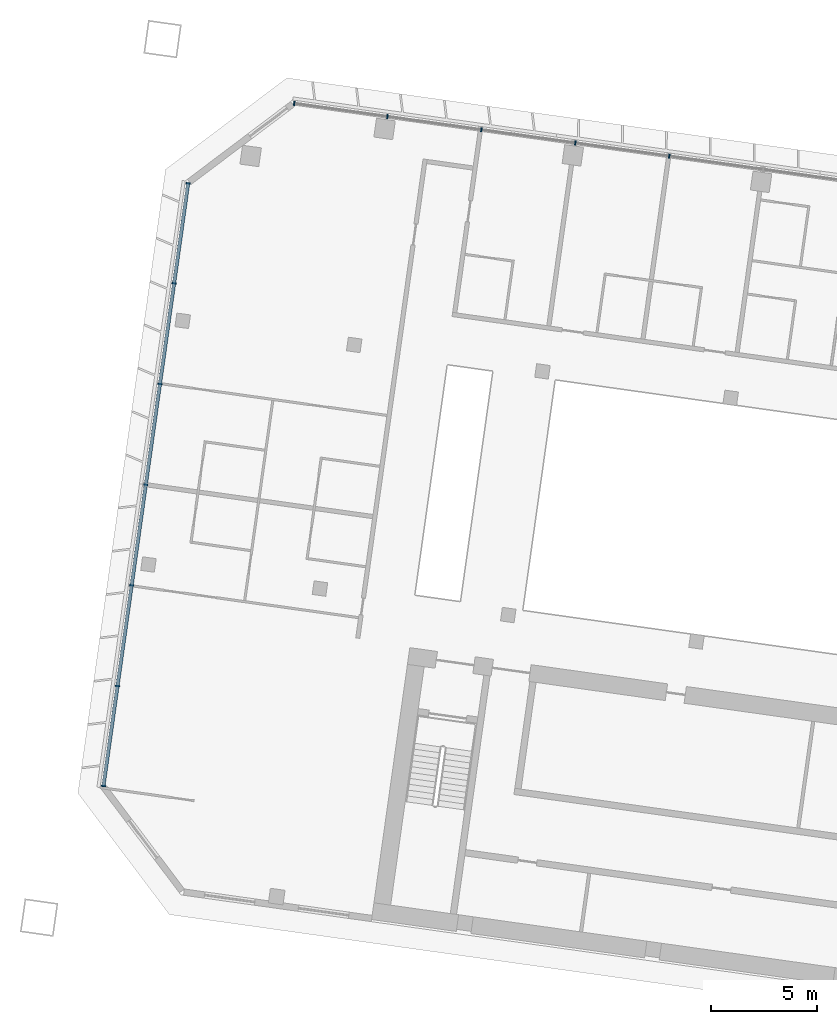
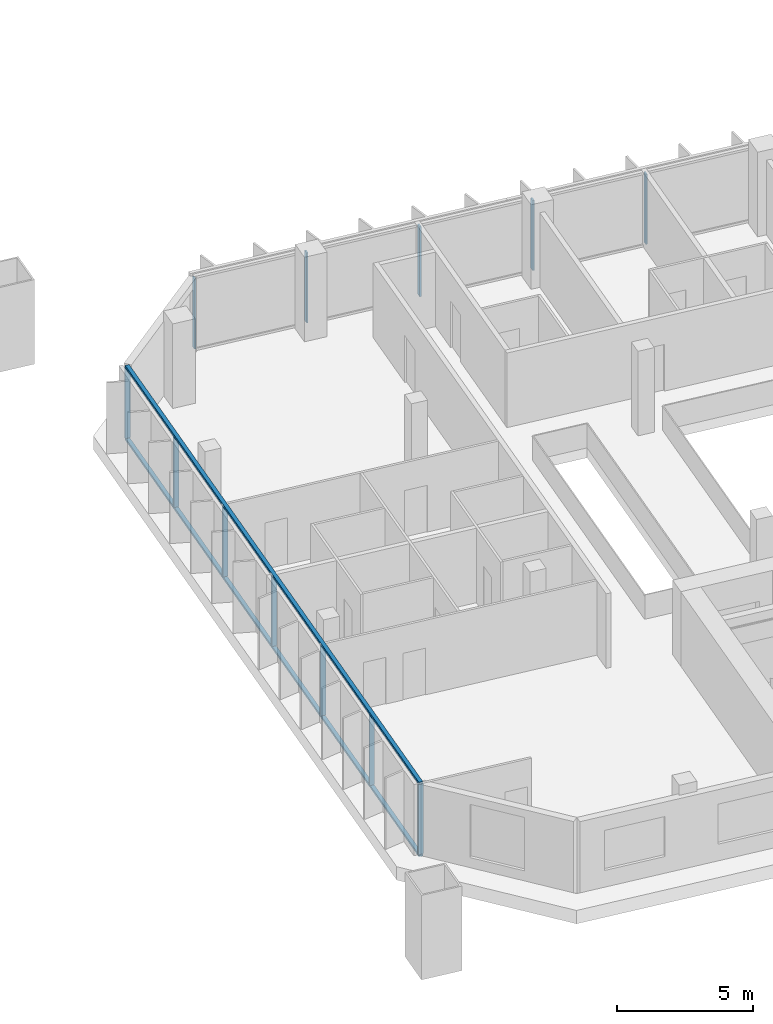
# One storey, part 2 of 24: 14 members, 2 elements without a shape of their own.
"""IFC4 building model written with IfcOpenShell, lengths in metres."""

import ifcopenshell
import ifcopenshell.guid

model = None  # the IFC model being written
_history = None  # IfcOwnerHistory: only IFC2X3 demands one
_inside = {}  # id of a spatial element -> (the spatial element, [elements in it])
_under = {}  # id of a project, library or spatial element -> (it, [spatial elements below it])
_declared = {}  # id of a project -> (the project, [libraries it declares])
_typed = {}  # id of a type object -> (the type object, [elements of that type])
_made_of = {}  # id of a material, layer set ... -> (it, [elements and type objects made of it])


def new_model(schema):
    """Start an empty IFC model of exactly this schema.

    Asked for "IFC4X3", IfcOpenShell would pick the latest addendum, in which some entities
    have other attributes; the version numbers below select the first issue.
    IFC2X3 requires an IfcOwnerHistory on every rooted entity: one is made here for all.
    """
    global model, _history
    if schema == "IFC4X3":
        model = ifcopenshell.file(schema_version=(4, 3, 0, 0))
    else:
        model = ifcopenshell.file(schema=schema)
    _inside.clear()
    _under.clear()
    _declared.clear()
    _typed.clear()
    _made_of.clear()
    _history = None
    if model.schema == "IFC2X3":
        org = make("IfcOrganization", Name="unknown")
        user = make(
            "IfcPersonAndOrganization",
            ThePerson=make("IfcPerson", FamilyName="unknown"),
            TheOrganization=org,
        )
        app = make(
            "IfcApplication",
            ApplicationDeveloper=org,
            Version="unknown",
            ApplicationFullName="unknown",
            ApplicationIdentifier="unknown",
        )
        _history = make(
            "IfcOwnerHistory",
            OwningUser=user,
            OwningApplication=app,
            ChangeAction="ADDED",
            CreationDate=0,
        )
    return model


def make(cls, **values):
    """One entity of the class cls with the attributes given. An attribute that is None is left unset."""
    return model.create_entity(
        cls, **{name: value for name, value in values.items() if value is not None}
    )


def rooted(cls, **values):
    """An entity with a GlobalId (a new one), such as an element, a storey or a relation."""
    return make(cls, GlobalId=ifcopenshell.guid.new(), OwnerHistory=_history, **values)


def si_unit(unit_type, name, prefix=None):
    """IfcSIUnit, for example si_unit("LENGTHUNIT", "METRE", prefix="MILLI")."""
    return make("IfcSIUnit", UnitType=unit_type, Prefix=prefix, Name=name)


def assignment(units):
    """IfcUnitAssignment: the units of a project."""
    return None if units is None else make("IfcUnitAssignment", Units=units)


def point(xyz):
    """IfcCartesianPoint."""
    return None if xyz is None else make("IfcCartesianPoint", Coordinates=xyz)


def direction(xyz):
    """IfcDirection."""
    return None if xyz is None else make("IfcDirection", DirectionRatios=xyz)


def frame(location, z_axis=None, x_axis=None):
    """IfcAxis2Placement3D, a coordinate frame: its origin and axes. An axis left out is left unset."""
    return make(
        "IfcAxis2Placement3D",
        Location=point(location),
        Axis=direction(z_axis),
        RefDirection=direction(x_axis),
    )


def frame_2d(location, x_axis=None):
    """IfcAxis2Placement2D, a coordinate frame in the plane: its origin and x axis."""
    return make(
        "IfcAxis2Placement2D", Location=point(location), RefDirection=direction(x_axis)
    )


def origin():
    """The frame at (0, 0, 0) with its axes left unset."""
    return frame((0.0, 0.0, 0.0))


def origin_2d():
    """The frame at (0, 0) in the plane with its x axis left unset."""
    return frame_2d((0.0, 0.0))


def place(relative_to, where):
    """IfcLocalPlacement: puts the frame where relative to a parent placement (None: the world)."""
    return make(
        "IfcLocalPlacement", PlacementRelTo=relative_to, RelativePlacement=where
    )


def context(
    kind, dimensions, precision=None, world=None, true_north=None, identifier=None
):
    """IfcGeometricRepresentationContext, for example the 3D "Model" context."""
    return make(
        "IfcGeometricRepresentationContext",
        ContextIdentifier=identifier,
        ContextType=kind,
        CoordinateSpaceDimension=dimensions,
        Precision=precision,
        WorldCoordinateSystem=world,
        TrueNorth=true_north,
    )


def subcontext(parent, identifier, kind, view, scale=None):
    """IfcGeometricRepresentationSubContext, for example "Body" below "Model"."""
    return make(
        "IfcGeometricRepresentationSubContext",
        ContextIdentifier=identifier,
        ContextType=kind,
        ParentContext=parent,
        TargetScale=scale,
        TargetView=view,
    )


def project(units=None, contexts=None):
    """IfcProject with its units and contexts."""
    return rooted(
        "IfcProject",
        Name="project",
        RepresentationContexts=contexts,
        UnitsInContext=assignment(units),
    )


def spatial(cls, under=None, at=None, **own):
    """A site, building, storey or space (cls), placed at a placement, below another one or the project."""
    s = rooted(cls, ObjectPlacement=at, **own)
    if under is not None:
        _under.setdefault(under.id(), (under, []))[1].append(s)
    return s


def profile(cls, at=None, kind="AREA", **sizes):
    """A parametric profile (cls). Its sizes go by their IFC names, for example OverallWidth=200.0."""
    return make(cls, ProfileType=kind, Position=at, **sizes)


def rectangle(**sizes):
    """IfcRectangleProfileDef."""
    return profile("IfcRectangleProfileDef", **sizes)


def extrude(swept, where, along, depth):
    """IfcExtrudedAreaSolid: the profile swept, set in the frame where, extruded along a direction by depth."""
    return make(
        "IfcExtrudedAreaSolid",
        SweptArea=swept,
        Position=where,
        ExtrudedDirection=direction(along),
        Depth=depth,
    )


def shape(context_of_items, identifier, shape_type, items):
    """IfcShapeRepresentation: the items that make up one representation, for example the "Body"."""
    return make(
        "IfcShapeRepresentation",
        ContextOfItems=context_of_items,
        RepresentationIdentifier=identifier,
        RepresentationType=shape_type,
        Items=items,
    )


def material(Name=None, Category=None):
    """IfcMaterial."""
    return make("IfcMaterial", Name=Name, Category=Category)


def material_profile(
    of_material, cross_section, Name=None, Category=None, Priority=None
):
    """IfcMaterialProfile: a cross section and its material."""
    return make(
        "IfcMaterialProfile",
        Name=Name,
        Material=of_material,
        Profile=cross_section,
        Priority=Priority,
        Category=Category,
    )


def profile_set(profiles, Name=None, composite=None):
    """IfcMaterialProfileSet."""
    return make(
        "IfcMaterialProfileSet",
        Name=Name,
        MaterialProfiles=profiles,
        CompositeProfile=composite,
    )


def made_of(thing, what):
    """Note that an element or type object is made of a material, layer set ...; save() writes the relation."""
    if what is not None:
        _made_of.setdefault(what.id(), (what, []))[1].append(thing)
    return thing


def type_object(cls, material=None, **own):
    """A type object (cls), such as IfcWallType, which elements share."""
    return made_of(rooted(cls, **own), material)


def element(
    cls,
    number,
    at=None,
    inside=None,
    cuts=None,
    type_object=None,
    material=None,
    context=None,
    identifier="Body",
    shape_type=None,
    held_by="IfcProductDefinitionShape",
    body=None,
    shapes=None,
    **own,
):
    """One element of the class cls, such as IfcWall. Its Tag is "e" and its number.

    at: its placement. inside: the storey or other place that contains it. cuts: it is an
    opening in that element (IfcRelVoidsElement). A single representation is given by context,
    identifier, shape_type and body (its items); several are given by shapes. held_by: the class
    of the entity that holds the representations. save() writes the other relations.
    """
    e = rooted(cls, Tag="e%d" % number, ObjectPlacement=at, **own)
    if body is not None:
        shapes = [shape(context, identifier, shape_type, body)]
    if shapes is not None:
        e.Representation = make(held_by, Representations=shapes)
    if inside is not None:
        _inside.setdefault(inside.id(), (inside, []))[1].append(e)
    if cuts is not None:
        rooted(
            "IfcRelVoidsElement", RelatingBuildingElement=cuts, RelatedOpeningElement=e
        )
    if type_object is not None:
        _typed.setdefault(type_object.id(), (type_object, []))[1].append(e)
    return made_of(e, material)


def aggregate(whole, parts):
    """IfcRelAggregates: a whole, such as a stair, and the parts it consists of."""
    return rooted("IfcRelAggregates", RelatingObject=whole, RelatedObjects=parts)


def save(model, path):
    """Write the relations noted so far, then the file.

    IfcRelAggregates (storeys below a building ...), IfcRelContainedInSpatialStructure (elements
    in a storey), IfcRelDefinesByType, IfcRelAssociatesMaterial and IfcRelDeclares: one each for
    every whole, place, type object, material and project.
    """
    for whole, parts in _under.values():
        aggregate(whole, parts)
    for where, things in _inside.values():
        rooted(
            "IfcRelContainedInSpatialStructure",
            RelatedElements=things,
            RelatingStructure=where,
        )
    for kind, things in _typed.values():
        rooted("IfcRelDefinesByType", RelatedObjects=things, RelatingType=kind)
    for what, things in _made_of.values():
        rooted("IfcRelAssociatesMaterial", RelatedObjects=things, RelatingMaterial=what)
    for by, libraries in _declared.values():
        rooted("IfcRelDeclares", RelatingContext=by, RelatedDefinitions=libraries)
    model.write(path)


model = new_model("IFC4")

# Units and contexts
model_context = context("Model", 3, precision=1e-05, world=origin(), true_north=direction((0.0, 1.0)))
body_context = subcontext(model_context, "Body", "Model", "MODEL_VIEW")
ifc_project = project(units=[si_unit("LENGTHUNIT", "METRE"), si_unit("AREAUNIT", "SQUARE_METRE"), si_unit("VOLUMEUNIT", "CUBIC_METRE"), si_unit("PLANEANGLEUNIT", "RADIAN"), si_unit("MASSUNIT", "GRAM", prefix="KILO")], contexts=[model_context])

# Site, building, storey
site_placement = place(None, origin())
site = spatial("IfcSite", under=ifc_project, at=site_placement, CompositionType="ELEMENT")
building_placement = place(site_placement, origin())
building = spatial("IfcBuilding", under=site, at=building_placement, Name="Mirante Cascada Hotel Towers", CompositionType="ELEMENT")
storey_placement = place(building_placement, frame((0.0, 0.0, 110.1)))
storey = spatial("IfcBuildingStorey", under=building, at=storey_placement, Name="L24", CompositionType="ELEMENT", Elevation=110.1)

# Curtain wall, members
ifc_material_1 = material(Name="Aluminium mullion and transom frame with clear laminated glass", Category="aluminium")
curtain_wall_type_1 = type_object("IfcCurtainWallType", Name="Ribbon curtain wall ECW1", PredefinedType="NOTDEFINED", material=ifc_material_1)
curtain_wall_1_placement = place(storey_placement, origin())
curtain_wall_1 = element("IfcCurtainWall", 1, at=curtain_wall_1_placement, inside=storey, type_object=curtain_wall_type_1, Name="Front ribbon wall T1 L24", PredefinedType="NOTDEFINED")
ifc_material_2 = material(Name="Anodised aluminium extrusion", Category="aluminium")
ifc_material_profile_1 = material_profile(ifc_material_2, rectangle(XDim=0.2, YDim=0.065, at=origin_2d()), Name="ECW1 MULLION 65x200")
ifc_profile_set_1 = profile_set([ifc_material_profile_1], Name="Anodised aluminium extrusion")
member_type_1 = type_object("IfcMemberType", Name="ECW1 mullion 65x200", PredefinedType="MULLION", material=ifc_profile_set_1)
member_1_placement = place(storey_placement, frame((-94.126, 26.0476, 0.1), z_axis=(0.0, 0.0, 1.0), x_axis=(0.1391731, 0.9902681, 0.0)))
member_1 = element("IfcMember", 2, at=member_1_placement, type_object=member_type_1, Name="ECW1 mullion 1", PredefinedType="MULLION", context=body_context, shape_type="SweptSolid", body=[
    extrude(rectangle(XDim=0.2, YDim=0.065, at=origin_2d()), origin(), (0.0, 0.0, 1.0), 3.15),
])
member_2_placement = place(storey_placement, frame((-89.7107, 25.427, 0.1), z_axis=(0.0, 0.0, 1.0), x_axis=(0.1391731, 0.9902681, 0.0)))
member_2 = element("IfcMember", 3, at=member_2_placement, type_object=member_type_1, Name="ECW1 mullion 2", PredefinedType="MULLION", context=body_context, shape_type="SweptSolid", body=[
    extrude(rectangle(XDim=0.2, YDim=0.065, at=origin_2d()), origin(), (0.0, 0.0, 1.0), 3.15),
])
member_3_placement = place(storey_placement, frame((-85.2633, 24.802, 0.1), z_axis=(0.0, 0.0, 1.0), x_axis=(0.1391731, 0.9902681, 0.0)))
member_3 = element("IfcMember", 4, at=member_3_placement, type_object=member_type_1, Name="ECW1 mullion 3", PredefinedType="MULLION", context=body_context, shape_type="SweptSolid", body=[
    extrude(rectangle(XDim=0.2, YDim=0.065, at=origin_2d()), origin(), (0.0, 0.0, 1.0), 3.15),
])
member_4_placement = place(storey_placement, frame((-80.8159, 24.177, 0.1), z_axis=(0.0, 0.0, 1.0), x_axis=(0.1391731, 0.9902681, 0.0)))
member_4 = element("IfcMember", 5, at=member_4_placement, type_object=member_type_1, Name="ECW1 mullion 4", PredefinedType="MULLION", context=body_context, shape_type="SweptSolid", body=[
    extrude(rectangle(XDim=0.2, YDim=0.065, at=origin_2d()), origin(), (0.0, 0.0, 1.0), 3.15),
])
member_5_placement = place(storey_placement, frame((-76.3685, 23.5519, 0.1), z_axis=(0.0, 0.0, 1.0), x_axis=(0.1391731, 0.9902681, 0.0)))
member_5 = element("IfcMember", 6, at=member_5_placement, type_object=member_type_1, Name="ECW1 mullion 5", PredefinedType="MULLION", context=body_context, shape_type="SweptSolid", body=[
    extrude(rectangle(XDim=0.2, YDim=0.065, at=origin_2d()), origin(), (0.0, 0.0, 1.0), 3.15),
])
aggregate(curtain_wall_1, [member_1, member_2, member_3, member_4, member_5])

ifc_material_3 = material(Name="Aluminium mullion and transom frame with clear laminated glass", Category="aluminium")
curtain_wall_type_2 = type_object("IfcCurtainWallType", Name="End ribbon curtain wall ECW2", PredefinedType="NOTDEFINED", material=ifc_material_3)
curtain_wall_2_placement = place(storey_placement, origin())
curtain_wall_2 = element("IfcCurtainWall", 7, at=curtain_wall_2_placement, inside=storey, type_object=curtain_wall_type_2, Name="Outer end wall T1 L24", PredefinedType="NOTDEFINED")
ifc_material_4 = material(Name="Anodised aluminium extrusion", Category="aluminium")
ifc_material_profile_2 = material_profile(ifc_material_4, rectangle(XDim=0.2, YDim=0.065, at=origin_2d()), Name="ECW2 MULLION 65x200")
ifc_profile_set_2 = profile_set([ifc_material_profile_2], Name="Anodised aluminium extrusion")
member_type_2 = type_object("IfcMemberType", Name="ECW2 mullion 65x200", PredefinedType="MULLION", material=ifc_profile_set_2)
member_6_placement = place(storey_placement, frame((-103.1556, -6.2656, 0.1), z_axis=(0.0, 0.0, 1.0), x_axis=(-0.9902681, 0.1391731, 0.0)))
member_6 = element("IfcMember", 8, at=member_6_placement, type_object=member_type_2, Name="ECW2 mullion 1", PredefinedType="MULLION", context=body_context, shape_type="SweptSolid", body=[
    extrude(rectangle(XDim=0.2, YDim=0.065, at=origin_2d()), origin(), (0.0, 0.0, 1.0), 3.15),
])
member_7_placement = place(storey_placement, frame((-102.4903, -1.532, 0.1), z_axis=(0.0, 0.0, 1.0), x_axis=(-0.9902681, 0.1391731, 0.0)))
member_7 = element("IfcMember", 9, at=member_7_placement, type_object=member_type_2, Name="ECW2 mullion 2", PredefinedType="MULLION", context=body_context, shape_type="SweptSolid", body=[
    extrude(rectangle(XDim=0.2, YDim=0.065, at=origin_2d()), origin(), (0.0, 0.0, 1.0), 3.15),
])
member_8_placement = place(storey_placement, frame((-101.8205, 3.2338, 0.1), z_axis=(0.0, 0.0, 1.0), x_axis=(-0.9902681, 0.1391731, 0.0)))
member_8 = element("IfcMember", 10, at=member_8_placement, type_object=member_type_2, Name="ECW2 mullion 3", PredefinedType="MULLION", context=body_context, shape_type="SweptSolid", body=[
    extrude(rectangle(XDim=0.2, YDim=0.065, at=origin_2d()), origin(), (0.0, 0.0, 1.0), 3.15),
])
member_9_placement = place(storey_placement, frame((-101.1508, 7.9996, 0.1), z_axis=(0.0, 0.0, 1.0), x_axis=(-0.9902681, 0.1391731, 0.0)))
member_9 = element("IfcMember", 11, at=member_9_placement, type_object=member_type_2, Name="ECW2 mullion 4", PredefinedType="MULLION", context=body_context, shape_type="SweptSolid", body=[
    extrude(rectangle(XDim=0.2, YDim=0.065, at=origin_2d()), origin(), (0.0, 0.0, 1.0), 3.15),
])
member_10_placement = place(storey_placement, frame((-100.481, 12.7654, 0.1), z_axis=(0.0, 0.0, 1.0), x_axis=(-0.9902681, 0.1391731, 0.0)))
member_10 = element("IfcMember", 12, at=member_10_placement, type_object=member_type_2, Name="ECW2 mullion 5", PredefinedType="MULLION", context=body_context, shape_type="SweptSolid", body=[
    extrude(rectangle(XDim=0.2, YDim=0.065, at=origin_2d()), origin(), (0.0, 0.0, 1.0), 3.15),
])
member_11_placement = place(storey_placement, frame((-99.8112, 17.5312, 0.1), z_axis=(0.0, 0.0, 1.0), x_axis=(-0.9902681, 0.1391731, 0.0)))
member_11 = element("IfcMember", 13, at=member_11_placement, type_object=member_type_2, Name="ECW2 mullion 6", PredefinedType="MULLION", context=body_context, shape_type="SweptSolid", body=[
    extrude(rectangle(XDim=0.2, YDim=0.065, at=origin_2d()), origin(), (0.0, 0.0, 1.0), 3.15),
])
member_12_placement = place(storey_placement, frame((-99.1459, 22.2648, 0.1), z_axis=(0.0, 0.0, 1.0), x_axis=(-0.9902681, 0.1391731, 0.0)))
member_12 = element("IfcMember", 14, at=member_12_placement, type_object=member_type_2, Name="ECW2 mullion 7", PredefinedType="MULLION", context=body_context, shape_type="SweptSolid", body=[
    extrude(rectangle(XDim=0.2, YDim=0.065, at=origin_2d()), origin(), (0.0, 0.0, 1.0), 3.15),
])
ifc_material_5 = material(Name="Anodised aluminium extrusion", Category="aluminium")
ifc_material_profile_3 = material_profile(ifc_material_5, rectangle(XDim=0.16, YDim=0.1, at=origin_2d()), Name="ECW2 TRANSOM 100x160")
ifc_profile_set_3 = profile_set([ifc_material_profile_3], Name="Anodised aluminium extrusion")
member_type_3 = type_object("IfcMemberType", Name="ECW2 transom 100x160", PredefinedType="USERDEFINED", material=ifc_profile_set_3)
member_13_placement = place(storey_placement, frame((-103.1601, -6.2978, 0.05), z_axis=(0.1391723, 0.9902682, 0.0), x_axis=(-0.9902682, 0.1391723, 0.0)))
member_13 = element("IfcMember", 15, at=member_13_placement, type_object=member_type_3, Name="ECW2 sill transom", ObjectType="TRANSOM", PredefinedType="USERDEFINED", context=body_context, shape_type="SweptSolid", body=[
    extrude(rectangle(XDim=0.16, YDim=0.1, at=origin_2d()), origin(), (0.0, 0.0, 1.0), 28.8757),
])
member_14_placement = place(storey_placement, frame((-103.1601, -6.2978, 3.3), z_axis=(0.1391723, 0.9902682, 0.0), x_axis=(-0.9902682, 0.1391723, 0.0)))
member_14 = element("IfcMember", 16, at=member_14_placement, type_object=member_type_3, Name="ECW2 head transom", ObjectType="TRANSOM", PredefinedType="USERDEFINED", context=body_context, shape_type="SweptSolid", body=[
    extrude(rectangle(XDim=0.16, YDim=0.1, at=origin_2d()), origin(), (0.0, 0.0, 1.0), 28.8757),
])
aggregate(curtain_wall_2, [member_13, member_14, member_6, member_7, member_8, member_9, member_10, member_11, member_12])

save(model, "model.ifc")
